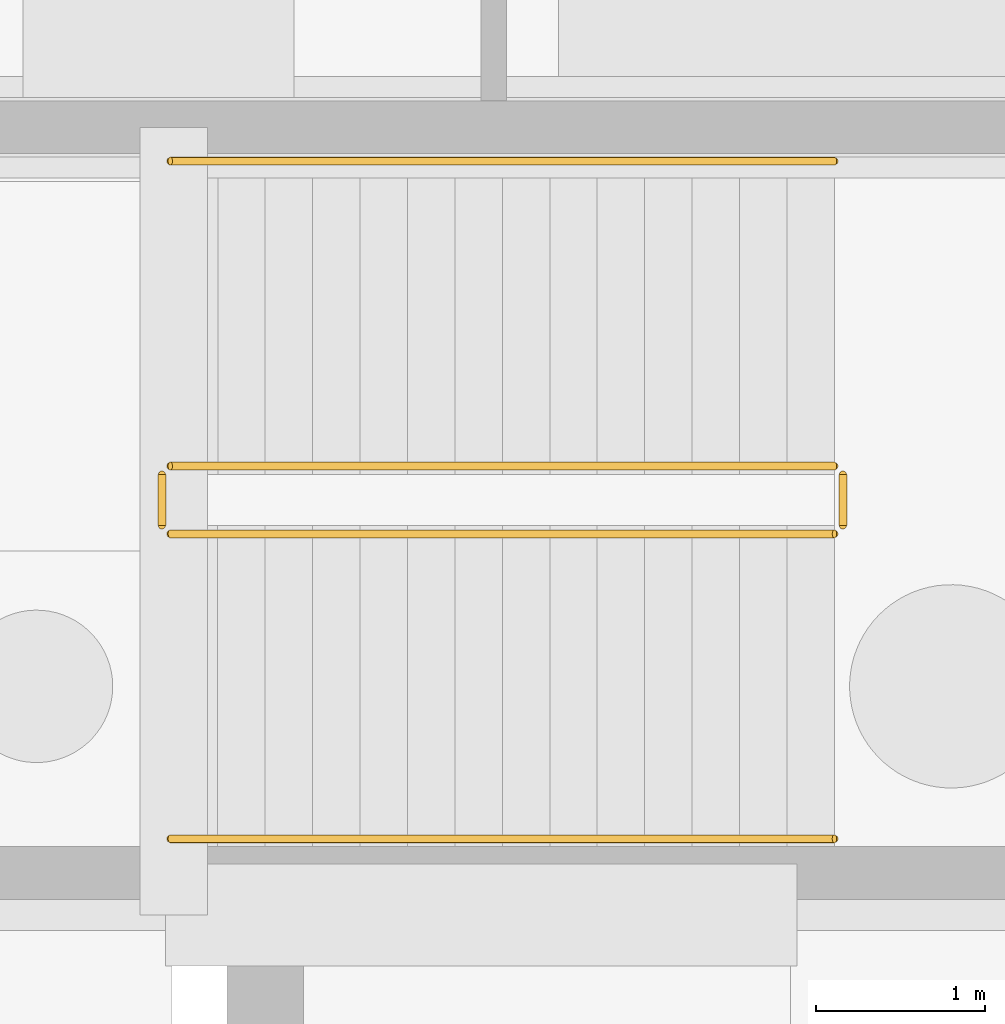
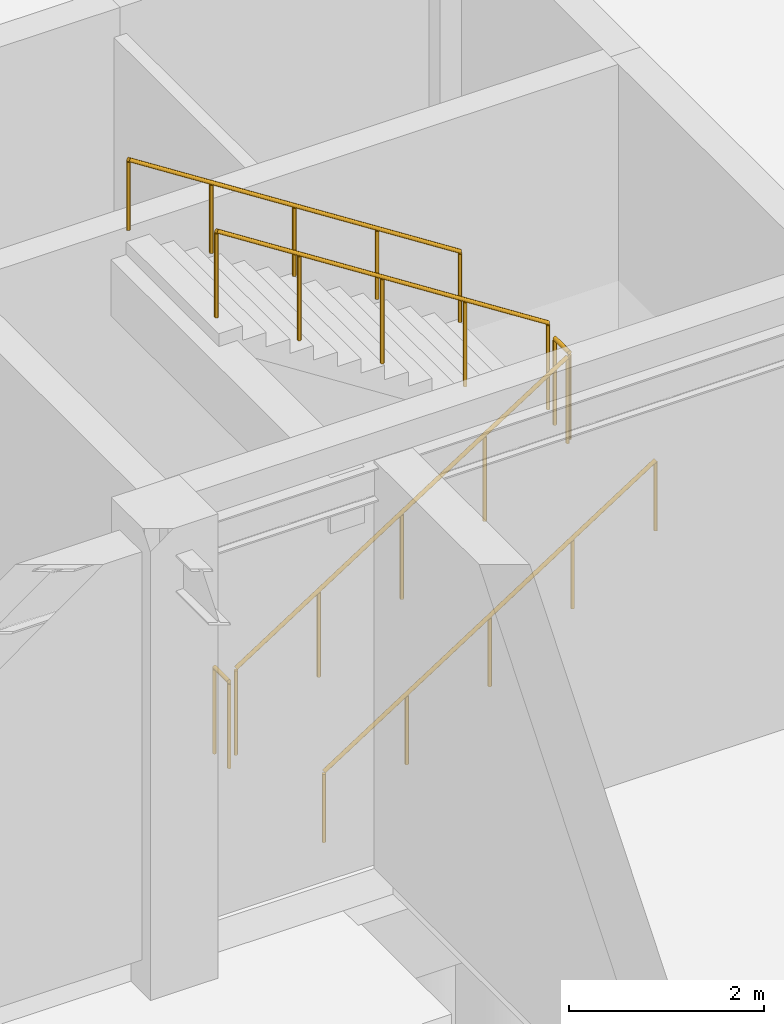
# One storey, part 22 of 26: 6 railings.
"""IFC4 building model written with IfcOpenShell, lengths in metres."""

import ifcopenshell
import ifcopenshell.guid

model = None  # the IFC model being written
_history = None  # IfcOwnerHistory: only IFC2X3 demands one
_inside = {}  # id of a spatial element -> (the spatial element, [elements in it])
_under = {}  # id of a project, library or spatial element -> (it, [spatial elements below it])
_declared = {}  # id of a project -> (the project, [libraries it declares])
_typed = {}  # id of a type object -> (the type object, [elements of that type])
_made_of = {}  # id of a material, layer set ... -> (it, [elements and type objects made of it])


def new_model(schema):
    """Start an empty IFC model of exactly this schema.

    Asked for "IFC4X3", IfcOpenShell would pick the latest addendum, in which some entities
    have other attributes; the version numbers below select the first issue.
    IFC2X3 requires an IfcOwnerHistory on every rooted entity: one is made here for all.
    """
    global model, _history
    if schema == "IFC4X3":
        model = ifcopenshell.file(schema_version=(4, 3, 0, 0))
    else:
        model = ifcopenshell.file(schema=schema)
    _inside.clear()
    _under.clear()
    _declared.clear()
    _typed.clear()
    _made_of.clear()
    _history = None
    if model.schema == "IFC2X3":
        org = make("IfcOrganization", Name="unknown")
        user = make(
            "IfcPersonAndOrganization",
            ThePerson=make("IfcPerson", FamilyName="unknown"),
            TheOrganization=org,
        )
        app = make(
            "IfcApplication",
            ApplicationDeveloper=org,
            Version="unknown",
            ApplicationFullName="unknown",
            ApplicationIdentifier="unknown",
        )
        _history = make(
            "IfcOwnerHistory",
            OwningUser=user,
            OwningApplication=app,
            ChangeAction="ADDED",
            CreationDate=0,
        )
    return model


def make(cls, **values):
    """One entity of the class cls with the attributes given. An attribute that is None is left unset."""
    return model.create_entity(
        cls, **{name: value for name, value in values.items() if value is not None}
    )


def rooted(cls, **values):
    """An entity with a GlobalId (a new one), such as an element, a storey or a relation."""
    return make(cls, GlobalId=ifcopenshell.guid.new(), OwnerHistory=_history, **values)


def si_unit(unit_type, name, prefix=None):
    """IfcSIUnit, for example si_unit("LENGTHUNIT", "METRE", prefix="MILLI")."""
    return make("IfcSIUnit", UnitType=unit_type, Prefix=prefix, Name=name)


def assignment(units):
    """IfcUnitAssignment: the units of a project."""
    return None if units is None else make("IfcUnitAssignment", Units=units)


def point(xyz):
    """IfcCartesianPoint."""
    return None if xyz is None else make("IfcCartesianPoint", Coordinates=xyz)


def direction(xyz):
    """IfcDirection."""
    return None if xyz is None else make("IfcDirection", DirectionRatios=xyz)


def frame(location, z_axis=None, x_axis=None):
    """IfcAxis2Placement3D, a coordinate frame: its origin and axes. An axis left out is left unset."""
    return make(
        "IfcAxis2Placement3D",
        Location=point(location),
        Axis=direction(z_axis),
        RefDirection=direction(x_axis),
    )


def frame_2d(location, x_axis=None):
    """IfcAxis2Placement2D, a coordinate frame in the plane: its origin and x axis."""
    return make(
        "IfcAxis2Placement2D", Location=point(location), RefDirection=direction(x_axis)
    )


def origin():
    """The frame at (0, 0, 0) with its axes left unset."""
    return frame((0.0, 0.0, 0.0))


def origin_2d():
    """The frame at (0, 0) in the plane with its x axis left unset."""
    return frame_2d((0.0, 0.0))


def place(relative_to, where):
    """IfcLocalPlacement: puts the frame where relative to a parent placement (None: the world)."""
    return make(
        "IfcLocalPlacement", PlacementRelTo=relative_to, RelativePlacement=where
    )


def context(
    kind, dimensions, precision=None, world=None, true_north=None, identifier=None
):
    """IfcGeometricRepresentationContext, for example the 3D "Model" context."""
    return make(
        "IfcGeometricRepresentationContext",
        ContextIdentifier=identifier,
        ContextType=kind,
        CoordinateSpaceDimension=dimensions,
        Precision=precision,
        WorldCoordinateSystem=world,
        TrueNorth=true_north,
    )


def subcontext(parent, identifier, kind, view, scale=None):
    """IfcGeometricRepresentationSubContext, for example "Body" below "Model"."""
    return make(
        "IfcGeometricRepresentationSubContext",
        ContextIdentifier=identifier,
        ContextType=kind,
        ParentContext=parent,
        TargetScale=scale,
        TargetView=view,
    )


def project(units=None, contexts=None):
    """IfcProject with its units and contexts."""
    return rooted(
        "IfcProject",
        Name="project",
        RepresentationContexts=contexts,
        UnitsInContext=assignment(units),
    )


def spatial(cls, under=None, at=None, **own):
    """A site, building, storey or space (cls), placed at a placement, below another one or the project."""
    s = rooted(cls, ObjectPlacement=at, **own)
    if under is not None:
        _under.setdefault(under.id(), (under, []))[1].append(s)
    return s


def profile(cls, at=None, kind="AREA", **sizes):
    """A parametric profile (cls). Its sizes go by their IFC names, for example OverallWidth=200.0."""
    return make(cls, ProfileType=kind, Position=at, **sizes)


def circle(**sizes):
    """IfcCircleProfileDef."""
    return profile("IfcCircleProfileDef", **sizes)


def extrude(swept, where, along, depth):
    """IfcExtrudedAreaSolid: the profile swept, set in the frame where, extruded along a direction by depth."""
    return make(
        "IfcExtrudedAreaSolid",
        SweptArea=swept,
        Position=where,
        ExtrudedDirection=direction(along),
        Depth=depth,
    )


def shape(context_of_items, identifier, shape_type, items):
    """IfcShapeRepresentation: the items that make up one representation, for example the "Body"."""
    return make(
        "IfcShapeRepresentation",
        ContextOfItems=context_of_items,
        RepresentationIdentifier=identifier,
        RepresentationType=shape_type,
        Items=items,
    )


def material(Name=None, Category=None):
    """IfcMaterial."""
    return make("IfcMaterial", Name=Name, Category=Category)


def made_of(thing, what):
    """Note that an element or type object is made of a material, layer set ...; save() writes the relation."""
    if what is not None:
        _made_of.setdefault(what.id(), (what, []))[1].append(thing)
    return thing


def type_object(cls, material=None, **own):
    """A type object (cls), such as IfcWallType, which elements share."""
    return made_of(rooted(cls, **own), material)


def element(
    cls,
    number,
    at=None,
    inside=None,
    cuts=None,
    type_object=None,
    material=None,
    context=None,
    identifier="Body",
    shape_type=None,
    held_by="IfcProductDefinitionShape",
    body=None,
    shapes=None,
    **own,
):
    """One element of the class cls, such as IfcWall. Its Tag is "e" and its number.

    at: its placement. inside: the storey or other place that contains it. cuts: it is an
    opening in that element (IfcRelVoidsElement). A single representation is given by context,
    identifier, shape_type and body (its items); several are given by shapes. held_by: the class
    of the entity that holds the representations. save() writes the other relations.
    """
    e = rooted(cls, Tag="e%d" % number, ObjectPlacement=at, **own)
    if body is not None:
        shapes = [shape(context, identifier, shape_type, body)]
    if shapes is not None:
        e.Representation = make(held_by, Representations=shapes)
    if inside is not None:
        _inside.setdefault(inside.id(), (inside, []))[1].append(e)
    if cuts is not None:
        rooted(
            "IfcRelVoidsElement", RelatingBuildingElement=cuts, RelatedOpeningElement=e
        )
    if type_object is not None:
        _typed.setdefault(type_object.id(), (type_object, []))[1].append(e)
    return made_of(e, material)


def aggregate(whole, parts):
    """IfcRelAggregates: a whole, such as a stair, and the parts it consists of."""
    return rooted("IfcRelAggregates", RelatingObject=whole, RelatedObjects=parts)


def save(model, path):
    """Write the relations noted so far, then the file.

    IfcRelAggregates (storeys below a building ...), IfcRelContainedInSpatialStructure (elements
    in a storey), IfcRelDefinesByType, IfcRelAssociatesMaterial and IfcRelDeclares: one each for
    every whole, place, type object, material and project.
    """
    for whole, parts in _under.values():
        aggregate(whole, parts)
    for where, things in _inside.values():
        rooted(
            "IfcRelContainedInSpatialStructure",
            RelatedElements=things,
            RelatingStructure=where,
        )
    for kind, things in _typed.values():
        rooted("IfcRelDefinesByType", RelatedObjects=things, RelatingType=kind)
    for what, things in _made_of.values():
        rooted("IfcRelAssociatesMaterial", RelatedObjects=things, RelatingMaterial=what)
    for by, libraries in _declared.values():
        rooted("IfcRelDeclares", RelatingContext=by, RelatedDefinitions=libraries)
    model.write(path)


model = new_model("IFC4")

# Units and contexts
model_context = context("Model", 3, precision=1e-05, world=origin(), true_north=direction((0.0, 1.0)))
body_context = subcontext(model_context, "Body", "Model", "MODEL_VIEW")
ifc_project = project(units=[si_unit("LENGTHUNIT", "METRE"), si_unit("AREAUNIT", "SQUARE_METRE"), si_unit("VOLUMEUNIT", "CUBIC_METRE"), si_unit("PLANEANGLEUNIT", "RADIAN"), si_unit("MASSUNIT", "GRAM", prefix="KILO")], contexts=[model_context])

# Site, building, storey
site_placement = place(None, origin())
site = spatial("IfcSite", under=ifc_project, at=site_placement, CompositionType="ELEMENT")
building_placement = place(site_placement, origin())
building = spatial("IfcBuilding", under=site, at=building_placement, Name="Parian Resonance Hall", CompositionType="ELEMENT")
storey_placement = place(building_placement, frame((0.0, 0.0, -5.39990234375)))
storey = spatial("IfcBuildingStorey", under=building, at=storey_placement, Name="B1", CompositionType="ELEMENT", Elevation=-5.39990234375)

# Railings
ifc_material_1 = material(Name="Patinated bronze whiplash metalwork")
railing_type_1 = type_object("IfcRailingType", Name="RAIL-STAIR-GRD-1100", PredefinedType="GUARDRAIL", material=ifc_material_1)
railing_1_placement = place(storey_placement, frame((123.639892578125, 50.85009765625, 0.179931640625)))
element("IfcRailing", 1, at=railing_1_placement, inside=storey, type_object=railing_type_1, Name="B1 ST-02 stair guard 1", PredefinedType="GUARDRAIL", context=body_context, shape_type="SweptSolid", body=[
    extrude(circle(Radius=0.02392578125, at=origin_2d()), frame((0.0, 0.0, 1.076171875), z_axis=(0.841186985886, 0.0, 0.540744352514), x_axis=(0.0, 1.0, 0.0)), (0.0, 0.0, 1.0), 4.660400390625),
    extrude(circle(Radius=0.02099609375, at=origin_2d()), origin(), (0.0, 0.0, 1.0), 1.052001953125),
    extrude(circle(Radius=0.02099609375, at=origin_2d()), frame((0.97998046875, 0.0, 0.6298828125)), (0.0, 0.0, 1.0), 1.052001953125),
    extrude(circle(Radius=0.02099609375, at=origin_2d()), frame((1.9599609375, 0.0, 1.260009765625)), (0.0, 0.0, 1.0), 1.052001953125),
    extrude(circle(Radius=0.02099609375, at=origin_2d()), frame((2.940185546875, 0.0, 1.89013671875)), (0.0, 0.0, 1.0), 1.052001953125),
    extrude(circle(Radius=0.02099609375, at=origin_2d()), frame((3.920166015625, 0.0, 2.52001953125)), (0.0, 0.0, 1.0), 1.052001953125),
])
railing_2_placement = place(storey_placement, frame((127.610107421875, 50.89990234375, 2.699951171875)))
element("IfcRailing", 2, at=railing_2_placement, inside=storey, type_object=railing_type_1, Name="B1 ST-02 stair guard 2", PredefinedType="GUARDRAIL", context=body_context, shape_type="SweptSolid", body=[
    extrude(circle(Radius=0.02392578125, at=origin_2d()), frame((0.0, 0.0, 1.076171875), z_axis=(0.0, 1.0, 0.0), x_axis=(-1.0, 0.0, 0.0)), (0.0, 0.0, 1.0), 0.300048828125),
    extrude(circle(Radius=0.02099609375, at=origin_2d()), origin(), (0.0, 0.0, 1.0), 1.052001953125),
    extrude(circle(Radius=0.02099609375, at=origin_2d()), frame((0.0, 0.300048828125, 0.0)), (0.0, 0.0, 1.0), 1.052001953125),
])
railing_3_placement = place(storey_placement, frame((127.56005859375, 51.25, 2.8798828125)))
element("IfcRailing", 3, at=railing_3_placement, inside=storey, type_object=railing_type_1, Name="B1 ST-02 stair guard 3", PredefinedType="GUARDRAIL", context=body_context, shape_type="SweptSolid", body=[
    extrude(circle(Radius=0.02392578125, at=origin_2d()), frame((0.0, 0.0, 1.076171875), z_axis=(-0.841186985886, 0.0, 0.540744352514), x_axis=(0.0, -1.0, 0.0)), (0.0, 0.0, 1.0), 4.660400390625),
    extrude(circle(Radius=0.02099609375, at=origin_2d()), origin(), (0.0, 0.0, 1.0), 1.052001953125),
    extrude(circle(Radius=0.02099609375, at=origin_2d()), frame((-0.97998046875, 0.0, 0.6298828125)), (0.0, 0.0, 1.0), 1.052001953125),
    extrude(circle(Radius=0.02099609375, at=origin_2d()), frame((-1.9599609375, 0.0, 1.260009765625)), (0.0, 0.0, 1.0), 1.052001953125),
    extrude(circle(Radius=0.02099609375, at=origin_2d()), frame((-2.940185546875, 0.0, 1.89013671875)), (0.0, 0.0, 1.0), 1.052001953125),
    extrude(circle(Radius=0.02099609375, at=origin_2d()), frame((-3.920166015625, 0.0, 2.52001953125)), (0.0, 0.0, 1.0), 1.052001953125),
])
railing_4_placement = place(storey_placement, frame((123.590087890625, 50.89990234375, 0.0)))
element("IfcRailing", 4, at=railing_4_placement, inside=storey, type_object=railing_type_1, Name="B1 ST-02 stair guard 4", PredefinedType="GUARDRAIL", context=body_context, shape_type="SweptSolid", body=[
    extrude(circle(Radius=0.02392578125, at=origin_2d()), frame((0.0, 0.0, 1.076171875), z_axis=(0.0, 1.0, 0.0), x_axis=(-1.0, 0.0, 0.0)), (0.0, 0.0, 1.0), 0.300048828125),
    extrude(circle(Radius=0.02099609375, at=origin_2d()), origin(), (0.0, 0.0, 1.0), 1.052001953125),
    extrude(circle(Radius=0.02099609375, at=origin_2d()), frame((0.0, 0.300048828125, 0.0)), (0.0, 0.0, 1.0), 1.052001953125),
])
ifc_material_2 = material(Name="Patinated bronze whiplash metalwork")
railing_type_2 = type_object("IfcRailingType", Name="RAIL-STAIR-HR-900", PredefinedType="HANDRAIL", material=ifc_material_2)
railing_5_placement = place(storey_placement, frame((123.639892578125, 49.050048828125, 0.179931640625)))
element("IfcRailing", 5, at=railing_5_placement, inside=storey, type_object=railing_type_2, Name="B1 ST-02 stair handrail 1", PredefinedType="HANDRAIL", context=body_context, shape_type="SweptSolid", body=[
    extrude(circle(Radius=0.02392578125, at=origin_2d()), frame((0.0, 0.0, 0.8759765625), z_axis=(0.841186985886, 0.0, 0.540744352514), x_axis=(0.0, 1.0, 0.0)), (0.0, 0.0, 1.0), 4.660400390625),
    extrude(circle(Radius=0.02099609375, at=origin_2d()), origin(), (0.0, 0.0, 1.0), 0.851806640625),
    extrude(circle(Radius=0.02099609375, at=origin_2d()), frame((0.97998046875, 0.0, 0.6298828125)), (0.0, 0.0, 1.0), 0.851806640625),
    extrude(circle(Radius=0.02099609375, at=origin_2d()), frame((1.9599609375, 0.0, 1.260009765625)), (0.0, 0.0, 1.0), 0.851806640625),
    extrude(circle(Radius=0.02099609375, at=origin_2d()), frame((2.940185546875, 0.0, 1.89013671875)), (0.0, 0.0, 1.0), 0.851806640625),
    extrude(circle(Radius=0.02099609375, at=origin_2d()), frame((3.920166015625, 0.0, 2.52001953125)), (0.0, 0.0, 1.0), 0.851806640625),
])
railing_6_placement = place(storey_placement, frame((127.56005859375, 53.050048828125, 2.8798828125)))
element("IfcRailing", 6, at=railing_6_placement, inside=storey, type_object=railing_type_2, Name="B1 ST-02 stair handrail 2", PredefinedType="HANDRAIL", context=body_context, shape_type="SweptSolid", body=[
    extrude(circle(Radius=0.02392578125, at=origin_2d()), frame((0.0, 0.0, 0.8759765625), z_axis=(-0.841186985886, 0.0, 0.540744352514), x_axis=(0.0, -1.0, 0.0)), (0.0, 0.0, 1.0), 4.660400390625),
    extrude(circle(Radius=0.02099609375, at=origin_2d()), origin(), (0.0, 0.0, 1.0), 0.851806640625),
    extrude(circle(Radius=0.02099609375, at=origin_2d()), frame((-0.97998046875, 0.0, 0.6298828125)), (0.0, 0.0, 1.0), 0.851806640625),
    extrude(circle(Radius=0.02099609375, at=origin_2d()), frame((-1.9599609375, 0.0, 1.260009765625)), (0.0, 0.0, 1.0), 0.851806640625),
    extrude(circle(Radius=0.02099609375, at=origin_2d()), frame((-2.940185546875, 0.0, 1.89013671875)), (0.0, 0.0, 1.0), 0.851806640625),
    extrude(circle(Radius=0.02099609375, at=origin_2d()), frame((-3.920166015625, 0.0, 2.52001953125)), (0.0, 0.0, 1.0), 0.851806640625),
])

save(model, "model.ifc")
